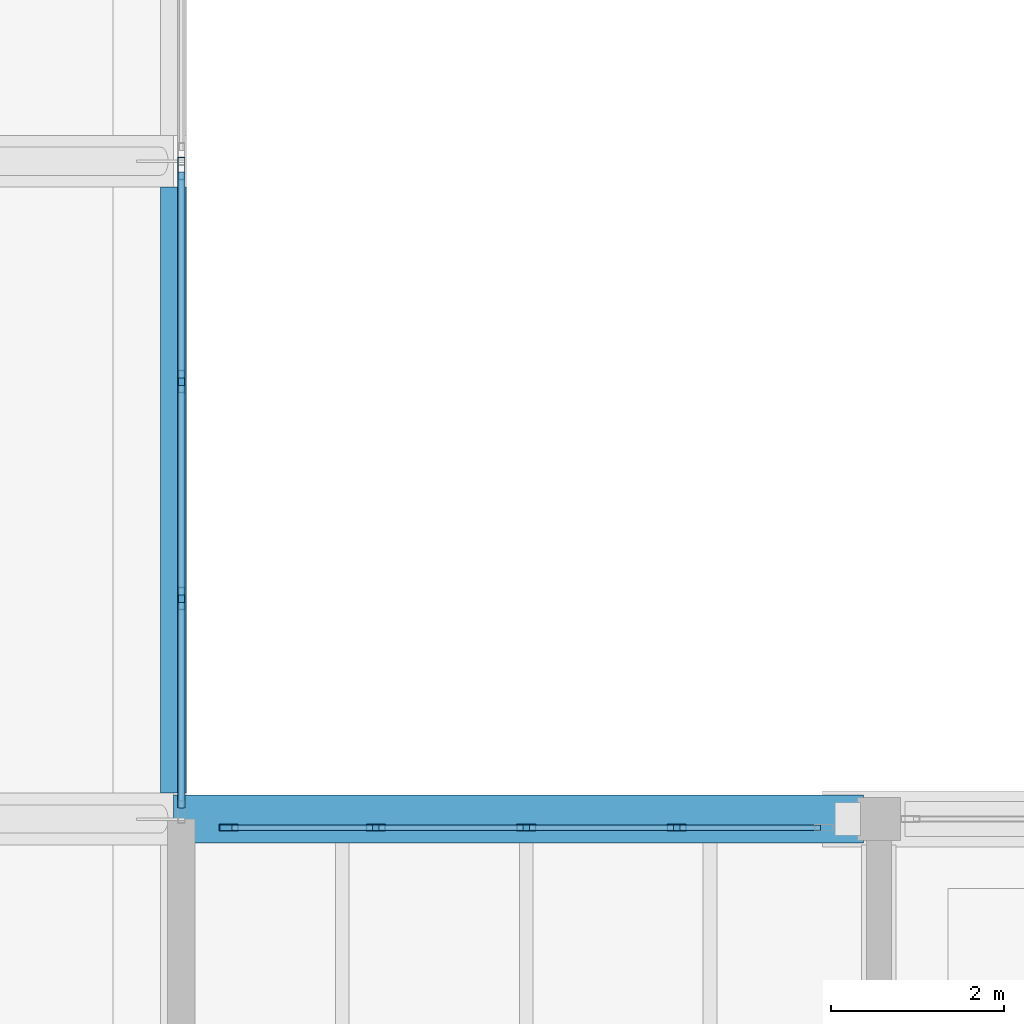
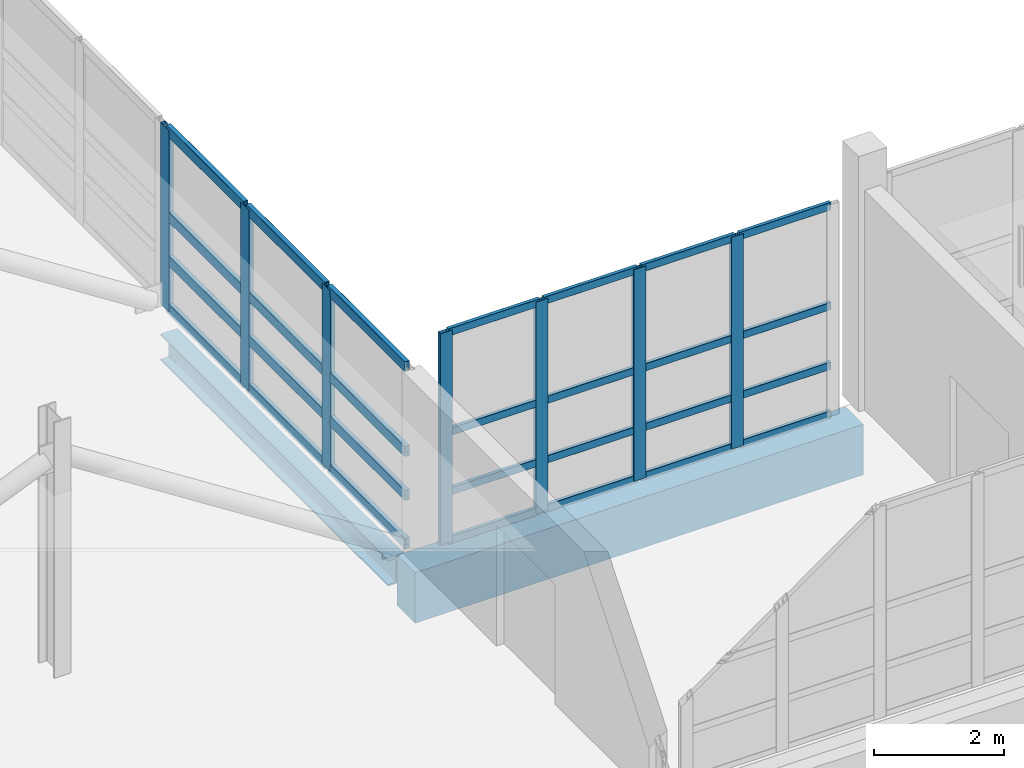
# One storey, part 16 of 141: 35 members, 2 beams, 2 elements without a shape of their own.
"""IFC4 building model written with IfcOpenShell, lengths in metres."""

from ifc_helpers import new_model, si_unit, direction, frame, origin, origin_2d, place, context, subcontext, project, spatial, rectangle, hollow_rectangle, i_section, extrude, material, material_profile, profile_set, type_object, element, aggregate, save


model = new_model("IFC4")

# Units and contexts
model_context = context("Model", 3, precision=1e-05, world=origin(), true_north=direction((0.0, 1.0)))
body_context = subcontext(model_context, "Body", "Model", "MODEL_VIEW")
ifc_project = project(units=[si_unit("LENGTHUNIT", "METRE"), si_unit("AREAUNIT", "SQUARE_METRE"), si_unit("VOLUMEUNIT", "CUBIC_METRE"), si_unit("PLANEANGLEUNIT", "RADIAN"), si_unit("MASSUNIT", "GRAM", prefix="KILO")], contexts=[model_context])

# Site, building, storey
site_placement = place(None, origin())
site = spatial("IfcSite", under=ifc_project, at=site_placement, CompositionType="ELEMENT")
building_placement = place(site_placement, origin())
building = spatial("IfcBuilding", under=site, at=building_placement, Name="Khelvaren Railside Concert Hall", CompositionType="ELEMENT")
storey_placement = place(building_placement, frame((0.0, 0.0, 10.199951171875)))
storey = spatial("IfcBuildingStorey", under=building, at=storey_placement, Name="L02", CompositionType="ELEMENT", Elevation=10.199951171875)

# Curtain wall, members
ifc_material_1 = material(Name="Double-glazed clear foyer glass", Category="glass")
curtain_wall_type_1 = type_object("IfcCurtainWallType", Name="CW47", PredefinedType="USERDEFINED", material=ifc_material_1)
curtain_wall_1_placement = place(storey_placement, origin())
curtain_wall_1 = element("IfcCurtainWall", 1, at=curtain_wall_1_placement, inside=storey, type_object=curtain_wall_type_1, Name="Unitised Curtain Wall CW-LB1-L02-N", ObjectType="UNITISED CURTAIN WALL", PredefinedType="USERDEFINED")
ifc_material_2 = material(Name="Anodised architectural aluminium 6063-T6", Category="aluminium")
ifc_material_profile_1 = material_profile(ifc_material_2, hollow_rectangle(XDim=0.074951171875, YDim=0.219970703125, WallThickness=0.0048828125, InnerFilletRadius=0.0029296875, OuterFilletRadius=0.0048828125, at=origin_2d()), Name="CWM 75x220x5")
ifc_profile_set_1 = profile_set([ifc_material_profile_1], Name="Anodised architectural aluminium 6063-T6")
member_type_1 = type_object("IfcMemberType", Name="CWM13", PredefinedType="MULLION", material=ifc_profile_set_1)
member_1_placement = place(storey_placement, frame((56.487548828125, 15.10009765625, 0.0), z_axis=(0.0, 0.0, 1.0), x_axis=(0.0, 1.0, 0.0)))
member_1 = element("IfcMember", 2, at=member_1_placement, type_object=member_type_1, Name="CW47 mullion 1", PredefinedType="MULLION", context=body_context, shape_type="SweptSolid", body=[
    extrude(hollow_rectangle(XDim=0.074951171875, YDim=0.219970703125, WallThickness=0.0048828125, InnerFilletRadius=0.0029296875, OuterFilletRadius=0.0048828125, at=origin_2d()), origin(), (0.0, 0.0, 1.0), 3.97998046875),
])
member_2_placement = place(storey_placement, frame((58.1875, 15.10009765625, 0.0), z_axis=(0.0, 0.0, 1.0), x_axis=(0.0, 1.0, 0.0)))
member_2 = element("IfcMember", 3, at=member_2_placement, type_object=member_type_1, Name="CW47 mullion 2", PredefinedType="MULLION", context=body_context, shape_type="SweptSolid", body=[
    extrude(hollow_rectangle(XDim=0.074951171875, YDim=0.219970703125, WallThickness=0.0048828125, InnerFilletRadius=0.0029296875, OuterFilletRadius=0.0048828125, at=origin_2d()), origin(), (0.0, 0.0, 1.0), 3.97998046875),
])
member_3_placement = place(storey_placement, frame((59.925048828125, 15.10009765625, 0.0), z_axis=(0.0, 0.0, 1.0), x_axis=(0.0, 1.0, 0.0)))
member_3 = element("IfcMember", 4, at=member_3_placement, type_object=member_type_1, Name="CW47 mullion 3", PredefinedType="MULLION", context=body_context, shape_type="SweptSolid", body=[
    extrude(hollow_rectangle(XDim=0.074951171875, YDim=0.219970703125, WallThickness=0.0048828125, InnerFilletRadius=0.0029296875, OuterFilletRadius=0.0048828125, at=origin_2d()), origin(), (0.0, 0.0, 1.0), 3.97998046875),
])
member_4_placement = place(storey_placement, frame((61.66259765625, 15.10009765625, 0.0), z_axis=(0.0, 0.0, 1.0), x_axis=(0.0, 1.0, 0.0)))
member_4 = element("IfcMember", 5, at=member_4_placement, type_object=member_type_1, Name="CW47 mullion 4", PredefinedType="MULLION", context=body_context, shape_type="SweptSolid", body=[
    extrude(hollow_rectangle(XDim=0.074951171875, YDim=0.219970703125, WallThickness=0.0048828125, InnerFilletRadius=0.0029296875, OuterFilletRadius=0.0048828125, at=origin_2d()), origin(), (0.0, 0.0, 1.0), 3.97998046875),
])

ifc_material_3 = material(Name="Acoustic laminated crystal facade glass", Category="glass")
curtain_wall_type_2 = type_object("IfcCurtainWallType", Name="CW21", PredefinedType="USERDEFINED", material=ifc_material_3)
curtain_wall_2_placement = place(storey_placement, origin())
curtain_wall_2 = element("IfcCurtainWall", 6, at=curtain_wall_2_placement, inside=storey, type_object=curtain_wall_type_2, Name="Unitised Curtain Wall CW-V1-L02-E-15", ObjectType="UNITISED CURTAIN WALL", PredefinedType="USERDEFINED")
ifc_material_profile_2 = material_profile(ifc_material_2, hollow_rectangle(XDim=0.0849609375, YDim=0.260009765625, WallThickness=0.0048828125, InnerFilletRadius=0.0029296875, OuterFilletRadius=0.0048828125, at=origin_2d()), Name="CWM 85x260x5")
ifc_profile_set_2 = profile_set([ifc_material_profile_2], Name="Anodised architectural aluminium 6063-T6")
member_type_2 = type_object("IfcMemberType", Name="CWM40", PredefinedType="MULLION", material=ifc_profile_set_2)
member_5_placement = place(storey_placement, frame((55.93994140625, 22.717529296875, 0.0), z_axis=(0.0, 0.0, 1.0), x_axis=(1.0, 0.0, 0.0)))
member_5 = element("IfcMember", 7, at=member_5_placement, type_object=member_type_2, Name="CW21 mullion 1", PredefinedType="MULLION", context=body_context, shape_type="SweptSolid", body=[
    extrude(hollow_rectangle(XDim=0.0849609375, YDim=0.260009765625, WallThickness=0.0048828125, InnerFilletRadius=0.0029296875, OuterFilletRadius=0.0048828125, at=origin_2d()), origin(), (0.0, 0.0, 1.0), 3.41015625),
])
member_6_placement = place(storey_placement, frame((55.93994140625, 20.25341796875, 0.0), z_axis=(0.0, 0.0, 1.0), x_axis=(1.0, 0.0, 0.0)))
member_6 = element("IfcMember", 8, at=member_6_placement, type_object=member_type_2, Name="CW21 mullion 2", PredefinedType="MULLION", context=body_context, shape_type="SweptSolid", body=[
    extrude(hollow_rectangle(XDim=0.0849609375, YDim=0.260009765625, WallThickness=0.0048828125, InnerFilletRadius=0.0029296875, OuterFilletRadius=0.0048828125, at=origin_2d()), origin(), (0.0, 0.0, 1.0), 3.41015625),
])
member_7_placement = place(storey_placement, frame((55.93994140625, 17.74658203125, 0.0), z_axis=(0.0, 0.0, 1.0), x_axis=(1.0, 0.0, 0.0)))
member_7 = element("IfcMember", 9, at=member_7_placement, type_object=member_type_2, Name="CW21 mullion 3", PredefinedType="MULLION", context=body_context, shape_type="SweptSolid", body=[
    extrude(hollow_rectangle(XDim=0.0849609375, YDim=0.260009765625, WallThickness=0.0048828125, InnerFilletRadius=0.0029296875, OuterFilletRadius=0.0048828125, at=origin_2d()), origin(), (0.0, 0.0, 1.0), 3.41015625),
])
ifc_material_profile_3 = material_profile(ifc_material_2, hollow_rectangle(XDim=0.0849609375, YDim=0.18994140625, WallThickness=0.0048828125, InnerFilletRadius=0.0029296875, OuterFilletRadius=0.0048828125, at=origin_2d()), Name="CWT 85x190x5")
ifc_profile_set_3 = profile_set([ifc_material_profile_3], Name="Anodised architectural aluminium 6063-T6")
member_type_3 = type_object("IfcMemberType", Name="CWT31", PredefinedType="USERDEFINED", material=ifc_profile_set_3)
member_8_placement = place(storey_placement, frame((55.93994140625, 22.675048828125, 0.04248046875), z_axis=(0.0, -1.0, 0.0), x_axis=(1.0, 0.0, 0.0)))
member_8 = element("IfcMember", 10, at=member_8_placement, type_object=member_type_3, Name="CW21 transom 1.1", ObjectType="TRANSOM", PredefinedType="USERDEFINED", context=body_context, shape_type="SweptSolid", body=[
    extrude(hollow_rectangle(XDim=0.0849609375, YDim=0.18994140625, WallThickness=0.0048828125, InnerFilletRadius=0.0029296875, OuterFilletRadius=0.0048828125, at=origin_2d()), origin(), (0.0, 0.0, 1.0), 2.379150390625),
])
member_9_placement = place(storey_placement, frame((55.93994140625, 22.675048828125, 0.949951171875), z_axis=(0.0, -1.0, 0.0), x_axis=(1.0, 0.0, 0.0)))
member_9 = element("IfcMember", 11, at=member_9_placement, type_object=member_type_3, Name="CW21 transom 1.2", ObjectType="TRANSOM", PredefinedType="USERDEFINED", context=body_context, shape_type="SweptSolid", body=[
    extrude(hollow_rectangle(XDim=0.0849609375, YDim=0.18994140625, WallThickness=0.0048828125, InnerFilletRadius=0.0029296875, OuterFilletRadius=0.0048828125, at=origin_2d()), origin(), (0.0, 0.0, 1.0), 2.379150390625),
])
member_10_placement = place(storey_placement, frame((55.93994140625, 22.675048828125, 1.773193359375), z_axis=(0.0, -1.0, 0.0), x_axis=(1.0, 0.0, 0.0)))
member_10 = element("IfcMember", 12, at=member_10_placement, type_object=member_type_3, Name="CW21 transom 1.3", ObjectType="TRANSOM", PredefinedType="USERDEFINED", context=body_context, shape_type="SweptSolid", body=[
    extrude(hollow_rectangle(XDim=0.0849609375, YDim=0.18994140625, WallThickness=0.0048828125, InnerFilletRadius=0.0029296875, OuterFilletRadius=0.0048828125, at=origin_2d()), origin(), (0.0, 0.0, 1.0), 2.379150390625),
])
member_11_placement = place(storey_placement, frame((55.93994140625, 22.675048828125, 3.367431640625), z_axis=(0.0, -1.0, 0.0), x_axis=(1.0, 0.0, 0.0)))
member_11 = element("IfcMember", 13, at=member_11_placement, type_object=member_type_3, Name="CW21 transom 1.4", ObjectType="TRANSOM", PredefinedType="USERDEFINED", context=body_context, shape_type="SweptSolid", body=[
    extrude(hollow_rectangle(XDim=0.0849609375, YDim=0.18994140625, WallThickness=0.0048828125, InnerFilletRadius=0.0029296875, OuterFilletRadius=0.0048828125, at=origin_2d()), origin(), (0.0, 0.0, 1.0), 2.379150390625),
])
member_12_placement = place(storey_placement, frame((55.93994140625, 20.2109375, 0.04248046875), z_axis=(0.0, -1.0, 0.0), x_axis=(1.0, 0.0, 0.0)))
member_12 = element("IfcMember", 14, at=member_12_placement, type_object=member_type_3, Name="CW21 transom 2.1", ObjectType="TRANSOM", PredefinedType="USERDEFINED", context=body_context, shape_type="SweptSolid", body=[
    extrude(hollow_rectangle(XDim=0.0849609375, YDim=0.18994140625, WallThickness=0.0048828125, InnerFilletRadius=0.0029296875, OuterFilletRadius=0.0048828125, at=origin_2d()), origin(), (0.0, 0.0, 1.0), 2.421875),
])
member_13_placement = place(storey_placement, frame((55.93994140625, 20.2109375, 0.949951171875), z_axis=(0.0, -1.0, 0.0), x_axis=(1.0, 0.0, 0.0)))
member_13 = element("IfcMember", 15, at=member_13_placement, type_object=member_type_3, Name="CW21 transom 2.2", ObjectType="TRANSOM", PredefinedType="USERDEFINED", context=body_context, shape_type="SweptSolid", body=[
    extrude(hollow_rectangle(XDim=0.0849609375, YDim=0.18994140625, WallThickness=0.0048828125, InnerFilletRadius=0.0029296875, OuterFilletRadius=0.0048828125, at=origin_2d()), origin(), (0.0, 0.0, 1.0), 2.421875),
])
member_14_placement = place(storey_placement, frame((55.93994140625, 20.2109375, 1.773193359375), z_axis=(0.0, -1.0, 0.0), x_axis=(1.0, 0.0, 0.0)))
member_14 = element("IfcMember", 16, at=member_14_placement, type_object=member_type_3, Name="CW21 transom 2.3", ObjectType="TRANSOM", PredefinedType="USERDEFINED", context=body_context, shape_type="SweptSolid", body=[
    extrude(hollow_rectangle(XDim=0.0849609375, YDim=0.18994140625, WallThickness=0.0048828125, InnerFilletRadius=0.0029296875, OuterFilletRadius=0.0048828125, at=origin_2d()), origin(), (0.0, 0.0, 1.0), 2.421875),
])
member_15_placement = place(storey_placement, frame((55.93994140625, 20.2109375, 3.367431640625), z_axis=(0.0, -1.0, 0.0), x_axis=(1.0, 0.0, 0.0)))
member_15 = element("IfcMember", 17, at=member_15_placement, type_object=member_type_3, Name="CW21 transom 2.4", ObjectType="TRANSOM", PredefinedType="USERDEFINED", context=body_context, shape_type="SweptSolid", body=[
    extrude(hollow_rectangle(XDim=0.0849609375, YDim=0.18994140625, WallThickness=0.0048828125, InnerFilletRadius=0.0029296875, OuterFilletRadius=0.0048828125, at=origin_2d()), origin(), (0.0, 0.0, 1.0), 2.421875),
])
member_16_placement = place(storey_placement, frame((55.93994140625, 17.7041015625, 0.04248046875), z_axis=(0.0, -1.0, 0.0), x_axis=(1.0, 0.0, 0.0)))
member_16 = element("IfcMember", 18, at=member_16_placement, type_object=member_type_3, Name="CW21 transom 3.1", ObjectType="TRANSOM", PredefinedType="USERDEFINED", context=body_context, shape_type="SweptSolid", body=[
    extrude(hollow_rectangle(XDim=0.0849609375, YDim=0.18994140625, WallThickness=0.0048828125, InnerFilletRadius=0.0029296875, OuterFilletRadius=0.0048828125, at=origin_2d()), origin(), (0.0, 0.0, 1.0), 2.379150390625),
])
member_17_placement = place(storey_placement, frame((55.93994140625, 17.7041015625, 0.949951171875), z_axis=(0.0, -1.0, 0.0), x_axis=(1.0, 0.0, 0.0)))
member_17 = element("IfcMember", 19, at=member_17_placement, type_object=member_type_3, Name="CW21 transom 3.2", ObjectType="TRANSOM", PredefinedType="USERDEFINED", context=body_context, shape_type="SweptSolid", body=[
    extrude(hollow_rectangle(XDim=0.0849609375, YDim=0.18994140625, WallThickness=0.0048828125, InnerFilletRadius=0.0029296875, OuterFilletRadius=0.0048828125, at=origin_2d()), origin(), (0.0, 0.0, 1.0), 2.379150390625),
])
member_18_placement = place(storey_placement, frame((55.93994140625, 17.7041015625, 1.773193359375), z_axis=(0.0, -1.0, 0.0), x_axis=(1.0, 0.0, 0.0)))
member_18 = element("IfcMember", 20, at=member_18_placement, type_object=member_type_3, Name="CW21 transom 3.3", ObjectType="TRANSOM", PredefinedType="USERDEFINED", context=body_context, shape_type="SweptSolid", body=[
    extrude(hollow_rectangle(XDim=0.0849609375, YDim=0.18994140625, WallThickness=0.0048828125, InnerFilletRadius=0.0029296875, OuterFilletRadius=0.0048828125, at=origin_2d()), origin(), (0.0, 0.0, 1.0), 2.379150390625),
])
member_19_placement = place(storey_placement, frame((55.93994140625, 17.7041015625, 3.367431640625), z_axis=(0.0, -1.0, 0.0), x_axis=(1.0, 0.0, 0.0)))
member_19 = element("IfcMember", 21, at=member_19_placement, type_object=member_type_3, Name="CW21 transom 3.4", ObjectType="TRANSOM", PredefinedType="USERDEFINED", context=body_context, shape_type="SweptSolid", body=[
    extrude(hollow_rectangle(XDim=0.0849609375, YDim=0.18994140625, WallThickness=0.0048828125, InnerFilletRadius=0.0029296875, OuterFilletRadius=0.0048828125, at=origin_2d()), origin(), (0.0, 0.0, 1.0), 2.379150390625),
])
aggregate(curtain_wall_2, [member_5, member_6, member_7, member_8, member_9, member_10, member_11, member_12, member_13, member_14, member_15, member_16, member_17, member_18, member_19])

# Member
ifc_material_profile_4 = material_profile(ifc_material_2, hollow_rectangle(XDim=0.06494140625, YDim=0.139892578125, WallThickness=0.00390625, InnerFilletRadius=0.001953125, OuterFilletRadius=0.00390625, at=origin_2d()), Name="CWT 65x140x4")
ifc_profile_set_4 = profile_set([ifc_material_profile_4], Name="Anodised architectural aluminium 6063-T6")
member_type_4 = type_object("IfcMemberType", Name="CWT72", PredefinedType="USERDEFINED", material=ifc_profile_set_4)
member_20_placement = place(storey_placement, frame((56.52490234375, 15.10009765625, 0.032470703125), z_axis=(1.0, 0.0, 0.0), x_axis=(0.0, 1.0, 0.0)))
member_20 = element("IfcMember", 22, at=member_20_placement, type_object=member_type_4, Name="CW47 transom 1.1", ObjectType="TRANSOM", PredefinedType="USERDEFINED", context=body_context, shape_type="SweptSolid", body=[
    extrude(hollow_rectangle(XDim=0.06494140625, YDim=0.139892578125, WallThickness=0.00390625, InnerFilletRadius=0.001953125, OuterFilletRadius=0.00390625, at=origin_2d()), origin(), (0.0, 0.0, 1.0), 1.625),
])

member_21_placement = place(storey_placement, frame((56.52490234375, 15.10009765625, 0.949951171875), z_axis=(1.0, 0.0, 0.0), x_axis=(0.0, 1.0, 0.0)))
member_21 = element("IfcMember", 23, at=member_21_placement, type_object=member_type_4, Name="CW47 transom 1.2", ObjectType="TRANSOM", PredefinedType="USERDEFINED", context=body_context, shape_type="SweptSolid", body=[
    extrude(hollow_rectangle(XDim=0.06494140625, YDim=0.139892578125, WallThickness=0.00390625, InnerFilletRadius=0.001953125, OuterFilletRadius=0.00390625, at=origin_2d()), origin(), (0.0, 0.0, 1.0), 1.625),
])

member_22_placement = place(storey_placement, frame((56.52490234375, 15.10009765625, 2.069580078125), z_axis=(1.0, 0.0, 0.0), x_axis=(0.0, 1.0, 0.0)))
member_22 = element("IfcMember", 24, at=member_22_placement, type_object=member_type_4, Name="CW47 transom 1.3", ObjectType="TRANSOM", PredefinedType="USERDEFINED", context=body_context, shape_type="SweptSolid", body=[
    extrude(hollow_rectangle(XDim=0.06494140625, YDim=0.139892578125, WallThickness=0.00390625, InnerFilletRadius=0.001953125, OuterFilletRadius=0.00390625, at=origin_2d()), origin(), (0.0, 0.0, 1.0), 1.625),
])

member_23_placement = place(storey_placement, frame((56.52490234375, 15.10009765625, 3.947509765625), z_axis=(1.0, 0.0, 0.0), x_axis=(0.0, 1.0, 0.0)))
member_23 = element("IfcMember", 25, at=member_23_placement, type_object=member_type_4, Name="CW47 transom 1.4", ObjectType="TRANSOM", PredefinedType="USERDEFINED", context=body_context, shape_type="SweptSolid", body=[
    extrude(hollow_rectangle(XDim=0.06494140625, YDim=0.139892578125, WallThickness=0.00390625, InnerFilletRadius=0.001953125, OuterFilletRadius=0.00390625, at=origin_2d()), origin(), (0.0, 0.0, 1.0), 1.625),
])

member_24_placement = place(storey_placement, frame((58.22509765625, 15.10009765625, 0.032470703125), z_axis=(1.0, 0.0, 0.0), x_axis=(0.0, 1.0, 0.0)))
member_24 = element("IfcMember", 26, at=member_24_placement, type_object=member_type_4, Name="CW47 transom 2.1", ObjectType="TRANSOM", PredefinedType="USERDEFINED", context=body_context, shape_type="SweptSolid", body=[
    extrude(hollow_rectangle(XDim=0.06494140625, YDim=0.139892578125, WallThickness=0.00390625, InnerFilletRadius=0.001953125, OuterFilletRadius=0.00390625, at=origin_2d()), origin(), (0.0, 0.0, 1.0), 1.662353515625),
])

member_25_placement = place(storey_placement, frame((58.22509765625, 15.10009765625, 0.949951171875), z_axis=(1.0, 0.0, 0.0), x_axis=(0.0, 1.0, 0.0)))
member_25 = element("IfcMember", 27, at=member_25_placement, type_object=member_type_4, Name="CW47 transom 2.2", ObjectType="TRANSOM", PredefinedType="USERDEFINED", context=body_context, shape_type="SweptSolid", body=[
    extrude(hollow_rectangle(XDim=0.06494140625, YDim=0.139892578125, WallThickness=0.00390625, InnerFilletRadius=0.001953125, OuterFilletRadius=0.00390625, at=origin_2d()), origin(), (0.0, 0.0, 1.0), 1.662353515625),
])

member_26_placement = place(storey_placement, frame((58.22509765625, 15.10009765625, 2.069580078125), z_axis=(1.0, 0.0, 0.0), x_axis=(0.0, 1.0, 0.0)))
member_26 = element("IfcMember", 28, at=member_26_placement, type_object=member_type_4, Name="CW47 transom 2.3", ObjectType="TRANSOM", PredefinedType="USERDEFINED", context=body_context, shape_type="SweptSolid", body=[
    extrude(hollow_rectangle(XDim=0.06494140625, YDim=0.139892578125, WallThickness=0.00390625, InnerFilletRadius=0.001953125, OuterFilletRadius=0.00390625, at=origin_2d()), origin(), (0.0, 0.0, 1.0), 1.662353515625),
])

member_27_placement = place(storey_placement, frame((58.22509765625, 15.10009765625, 3.947509765625), z_axis=(1.0, 0.0, 0.0), x_axis=(0.0, 1.0, 0.0)))
member_27 = element("IfcMember", 29, at=member_27_placement, type_object=member_type_4, Name="CW47 transom 2.4", ObjectType="TRANSOM", PredefinedType="USERDEFINED", context=body_context, shape_type="SweptSolid", body=[
    extrude(hollow_rectangle(XDim=0.06494140625, YDim=0.139892578125, WallThickness=0.00390625, InnerFilletRadius=0.001953125, OuterFilletRadius=0.00390625, at=origin_2d()), origin(), (0.0, 0.0, 1.0), 1.662353515625),
])

member_28_placement = place(storey_placement, frame((59.96240234375, 15.10009765625, 0.032470703125), z_axis=(1.0, 0.0, 0.0), x_axis=(0.0, 1.0, 0.0)))
member_28 = element("IfcMember", 30, at=member_28_placement, type_object=member_type_4, Name="CW47 transom 3.1", ObjectType="TRANSOM", PredefinedType="USERDEFINED", context=body_context, shape_type="SweptSolid", body=[
    extrude(hollow_rectangle(XDim=0.06494140625, YDim=0.139892578125, WallThickness=0.00390625, InnerFilletRadius=0.001953125, OuterFilletRadius=0.00390625, at=origin_2d()), origin(), (0.0, 0.0, 1.0), 1.66259765625),
])

member_29_placement = place(storey_placement, frame((59.96240234375, 15.10009765625, 0.949951171875), z_axis=(1.0, 0.0, 0.0), x_axis=(0.0, 1.0, 0.0)))
member_29 = element("IfcMember", 31, at=member_29_placement, type_object=member_type_4, Name="CW47 transom 3.2", ObjectType="TRANSOM", PredefinedType="USERDEFINED", context=body_context, shape_type="SweptSolid", body=[
    extrude(hollow_rectangle(XDim=0.06494140625, YDim=0.139892578125, WallThickness=0.00390625, InnerFilletRadius=0.001953125, OuterFilletRadius=0.00390625, at=origin_2d()), origin(), (0.0, 0.0, 1.0), 1.66259765625),
])

member_30_placement = place(storey_placement, frame((59.96240234375, 15.10009765625, 2.069580078125), z_axis=(1.0, 0.0, 0.0), x_axis=(0.0, 1.0, 0.0)))
member_30 = element("IfcMember", 32, at=member_30_placement, type_object=member_type_4, Name="CW47 transom 3.3", ObjectType="TRANSOM", PredefinedType="USERDEFINED", context=body_context, shape_type="SweptSolid", body=[
    extrude(hollow_rectangle(XDim=0.06494140625, YDim=0.139892578125, WallThickness=0.00390625, InnerFilletRadius=0.001953125, OuterFilletRadius=0.00390625, at=origin_2d()), origin(), (0.0, 0.0, 1.0), 1.66259765625),
])

member_31_placement = place(storey_placement, frame((59.96240234375, 15.10009765625, 3.947509765625), z_axis=(1.0, 0.0, 0.0), x_axis=(0.0, 1.0, 0.0)))
member_31 = element("IfcMember", 33, at=member_31_placement, type_object=member_type_4, Name="CW47 transom 3.4", ObjectType="TRANSOM", PredefinedType="USERDEFINED", context=body_context, shape_type="SweptSolid", body=[
    extrude(hollow_rectangle(XDim=0.06494140625, YDim=0.139892578125, WallThickness=0.00390625, InnerFilletRadius=0.001953125, OuterFilletRadius=0.00390625, at=origin_2d()), origin(), (0.0, 0.0, 1.0), 1.66259765625),
])

member_32_placement = place(storey_placement, frame((61.699951171875, 15.10009765625, 0.032470703125), z_axis=(1.0, 0.0, 0.0), x_axis=(0.0, 1.0, 0.0)))
member_32 = element("IfcMember", 34, at=member_32_placement, type_object=member_type_4, Name="CW47 transom 4.1", ObjectType="TRANSOM", PredefinedType="USERDEFINED", context=body_context, shape_type="SweptSolid", body=[
    extrude(hollow_rectangle(XDim=0.06494140625, YDim=0.139892578125, WallThickness=0.00390625, InnerFilletRadius=0.001953125, OuterFilletRadius=0.00390625, at=origin_2d()), origin(), (0.0, 0.0, 1.0), 1.625),
])

member_33_placement = place(storey_placement, frame((61.699951171875, 15.10009765625, 0.949951171875), z_axis=(1.0, 0.0, 0.0), x_axis=(0.0, 1.0, 0.0)))
member_33 = element("IfcMember", 35, at=member_33_placement, type_object=member_type_4, Name="CW47 transom 4.2", ObjectType="TRANSOM", PredefinedType="USERDEFINED", context=body_context, shape_type="SweptSolid", body=[
    extrude(hollow_rectangle(XDim=0.06494140625, YDim=0.139892578125, WallThickness=0.00390625, InnerFilletRadius=0.001953125, OuterFilletRadius=0.00390625, at=origin_2d()), origin(), (0.0, 0.0, 1.0), 1.625),
])

member_34_placement = place(storey_placement, frame((61.699951171875, 15.10009765625, 2.069580078125), z_axis=(1.0, 0.0, 0.0), x_axis=(0.0, 1.0, 0.0)))
member_34 = element("IfcMember", 36, at=member_34_placement, type_object=member_type_4, Name="CW47 transom 4.3", ObjectType="TRANSOM", PredefinedType="USERDEFINED", context=body_context, shape_type="SweptSolid", body=[
    extrude(hollow_rectangle(XDim=0.06494140625, YDim=0.139892578125, WallThickness=0.00390625, InnerFilletRadius=0.001953125, OuterFilletRadius=0.00390625, at=origin_2d()), origin(), (0.0, 0.0, 1.0), 1.625),
])

member_35_placement = place(storey_placement, frame((61.699951171875, 15.10009765625, 3.947509765625), z_axis=(1.0, 0.0, 0.0), x_axis=(0.0, 1.0, 0.0)))
member_35 = element("IfcMember", 37, at=member_35_placement, type_object=member_type_4, Name="CW47 transom 4.4", ObjectType="TRANSOM", PredefinedType="USERDEFINED", context=body_context, shape_type="SweptSolid", body=[
    extrude(hollow_rectangle(XDim=0.06494140625, YDim=0.139892578125, WallThickness=0.00390625, InnerFilletRadius=0.001953125, OuterFilletRadius=0.00390625, at=origin_2d()), origin(), (0.0, 0.0, 1.0), 1.625),
])

aggregate(curtain_wall_1, [member_1, member_2, member_3, member_4, member_20, member_21, member_22, member_23, member_24, member_25, member_26, member_27, member_28, member_29, member_30, member_31, member_32, member_33, member_34, member_35])

# Beams
ifc_material_4 = material(Name="Concrete C40/50", Category="concrete")
ifc_material_profile_5 = material_profile(ifc_material_4, rectangle(XDim=0.550048828125, YDim=0.949951171875, at=origin_2d()), Name="RCB 550x950")
ifc_profile_set_5 = profile_set([ifc_material_profile_5], Name="Concrete C40/50")
beam_type_1 = type_object("IfcBeamType", Name="GR75", PredefinedType="T_BEAM", material=ifc_profile_set_5)
beam_1_placement = place(storey_placement, frame((55.85009765625, 15.199951171875, -0.71484375), z_axis=(1.0, 0.0, 0.0), x_axis=(0.0, 1.0, 0.0)))
element("IfcBeam", 38, at=beam_1_placement, inside=storey, type_object=beam_type_1, Name="West Promenade Link Bridge L02 Bridge Girder 2", PredefinedType="T_BEAM", context=body_context, shape_type="SweptSolid", body=[
    extrude(rectangle(XDim=0.550048828125, YDim=0.949951171875, at=origin_2d()), origin(), (0.0, 0.0, 1.0), 7.969970703125),
])
ifc_material_5 = material(Name="Steel S355", Category="steel")
ifc_material_profile_6 = material_profile(ifc_material_5, i_section(OverallWidth=0.300048828125, OverallDepth=0.5, WebThickness=0.014404296875, FlangeThickness=0.028076171875, FilletRadius=0.027099609375, at=origin_2d()), Name="HEB 500")
ifc_profile_set_6 = profile_set([ifc_material_profile_6], Name="Steel S355")
beam_type_2 = type_object("IfcBeamType", Name="SP12", PredefinedType="SPANDREL", material=ifc_profile_set_6)
beam_2_placement = place(storey_placement, frame((55.85009765625, 15.5, -0.5400390625), z_axis=(0.0, 1.0, 0.0), x_axis=(-1.0, 0.0, 0.0)))
element("IfcBeam", 39, at=beam_2_placement, inside=storey, type_object=beam_type_2, Name="V1 L02 Cantilever Tip Spandrel Y3", PredefinedType="SPANDREL", context=body_context, shape_type="SweptSolid", body=[
    extrude(i_section(OverallWidth=0.300048828125, OverallDepth=0.5, WebThickness=0.014404296875, FlangeThickness=0.028076171875, FilletRadius=0.027099609375, at=origin_2d()), origin(), (0.0, 0.0, 1.0), 7.0),
])

save(model, "model.ifc")
